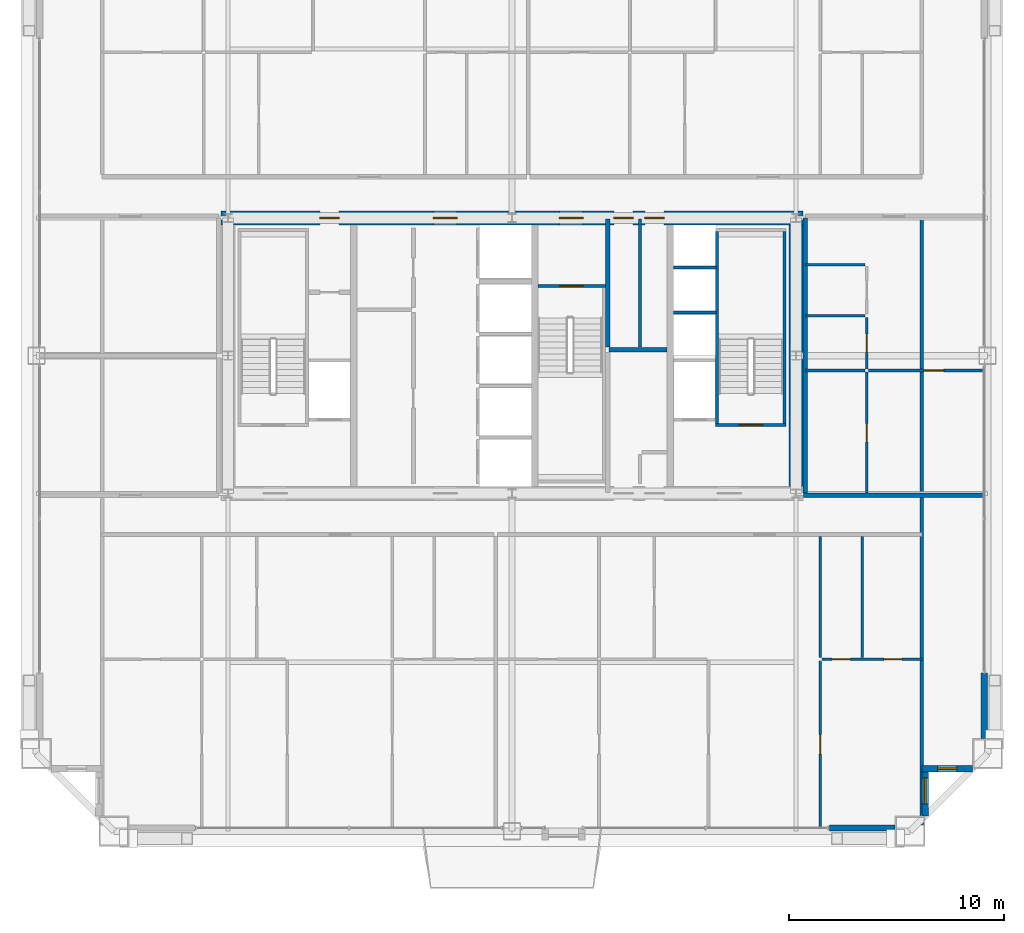
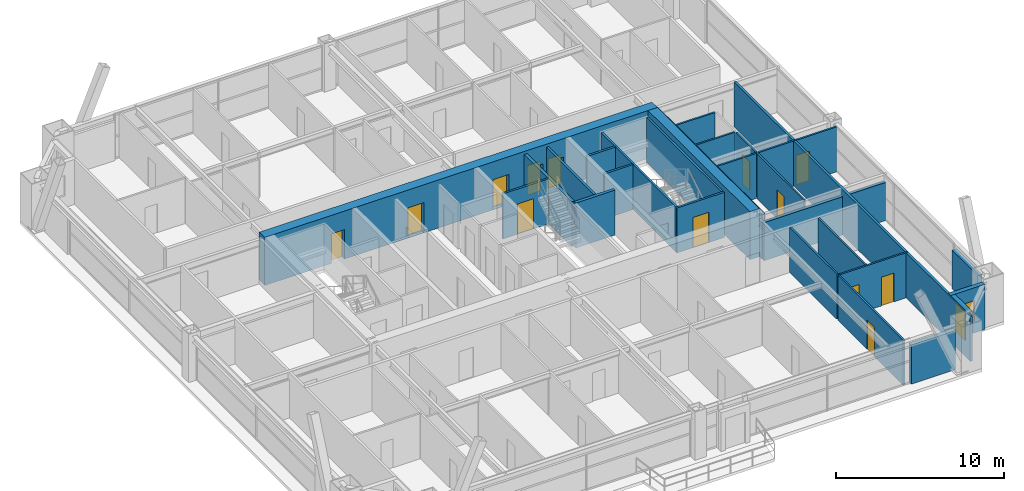
# One storey, part 42 of 45: 28 walls, 13 doors, 2 windows, 15 openings.
"""IFC4 building model written with IfcOpenShell, lengths in metres."""

from ifc_helpers import new_model, si_unit, direction, frame, frame_2d, origin, place, context, subcontext, project, spatial, rectangle, extrude, source, transform, mapped, material, layer, layer_set, type_object, element, fill, save


model = new_model("IFC4")

# Units and contexts
model_context = context("Model", 3, precision=1e-05, world=origin(), true_north=direction((0.0, 1.0)))
body_context = subcontext(model_context, "Body", "Model", "MODEL_VIEW")
ifc_project = project(units=[si_unit("LENGTHUNIT", "METRE"), si_unit("AREAUNIT", "SQUARE_METRE"), si_unit("VOLUMEUNIT", "CUBIC_METRE"), si_unit("PLANEANGLEUNIT", "RADIAN"), si_unit("MASSUNIT", "GRAM", prefix="KILO"), si_unit("THERMODYNAMICTEMPERATUREUNIT", "KELVIN"), si_unit("POWERUNIT", "WATT")], contexts=[model_context])

# Site, building, storey
site_placement = place(None, origin())
site = spatial("IfcSite", under=ifc_project, at=site_placement, CompositionType="ELEMENT")
building_placement = place(site_placement, origin())
building = spatial("IfcBuilding", under=site, at=building_placement, Name="Yuzanri Waterfront Tower", CompositionType="ELEMENT")
storey_placement = place(building_placement, frame((0.0, 0.0, 198.5)))
storey = spatial("IfcBuildingStorey", under=building, at=storey_placement, Name="L52", CompositionType="ELEMENT", Elevation=198.5)

# Wall, openings, doors
ifc_material_1 = material(Name="Moisture-Resistant Gypsum Stud Wall", Category="gypsum")
ifc_layer_1 = layer(ifc_material_1, 0.1201171875)
ifc_layer_set_1 = layer_set([ifc_layer_1], Name="Moisture-Resistant Gypsum Stud Wall")
wall_type_1 = type_object("IfcWallType", Name="Bathroom and Kitchen Wet Partition 120", PredefinedType="PARTITIONING", material=ifc_layer_set_1)
wall_1_placement = place(storey_placement, frame((51.4130859375, 11.699951171875, 0.0), z_axis=(0.0, 0.0, 1.0), x_axis=(1.0, 0.0, 0.0)))
wall_1 = element("IfcWall", 1, at=wall_1_placement, inside=storey, type_object=wall_type_1, Name="L52 Partition UW-L52-RS2-SUB-6-N", PredefinedType="PARTITIONING", context=body_context, shape_type="SweptSolid", body=[
    extrude(rectangle(XDim=4.64697265625, YDim=0.1201171875, at=frame_2d((2.323486328125, 0.0))), origin(), (0.0, 0.0, 1.0), 3.280029296875),
])
opening_1_placement = place(wall_1_placement, frame((2.8720703125, 0.0, 0.0)))
opening_1 = element("IfcOpeningElement", 2, at=opening_1_placement, cuts=wall_1, Name="Opening ID-0850", PredefinedType="OPENING", context=body_context, shape_type="SweptSolid", body=[
    extrude(rectangle(XDim=0.85009765625, YDim=2.10009765625, at=frame_2d((0.425048828125, 1.050048828125))), frame((0.0, 0.074951171875, 0.0), z_axis=(0.0, -1.0, 0.0), x_axis=(1.0, 0.0, 0.0)), (0.0, 0.0, 1.0), 0.14990234375),
])
opening_2_placement = place(wall_1_placement, frame((0.468505859375, 0.0, 0.0)))
opening_2 = element("IfcOpeningElement", 3, at=opening_2_placement, cuts=wall_1, Name="Opening ID-0850", PredefinedType="OPENING", context=body_context, shape_type="SweptSolid", body=[
    extrude(rectangle(XDim=0.85009765625, YDim=2.10009765625, at=frame_2d((0.425048828125, 1.050048828125))), frame((0.0, 0.074951171875, 0.0), z_axis=(0.0, -1.0, 0.0), x_axis=(1.0, 0.0, 0.0)), (0.0, 0.0, 1.0), 0.14990234375),
])
ifc_material_2 = material(Name="Moisture-Resistant Lacquered Timber", Category="wood")
door_type_1 = type_object("IfcDoorType", Name="En-Suite Bathroom and Kitchen Swing Door 850x2100", OperationType="NOTDEFINED", PredefinedType="DOOR", material=ifc_material_2)
shared_shape_1 = source(origin(), body_context, "Body", "SweptSolid", [
    extrude(rectangle(XDim=0.85009765625, YDim=2.10009765625, at=frame_2d((0.425048828125, 1.050048828125))), frame((0.0, 0.02490234375, 0.0), z_axis=(0.0, -1.0, 0.0), x_axis=(1.0, 0.0, 0.0)), (0.0, 0.0, 1.0), 0.050048828125),
])
door_1_placement = place(opening_1_placement, origin())
door_1 = element("IfcDoor", 4, at=door_1_placement, inside=storey, type_object=door_type_1, Name="L52 Suite Interior Room Door", OperationType="SINGLE_SWING_LEFT", OverallHeight=2.10009765625, OverallWidth=0.85009765625, PredefinedType="DOOR", context=body_context, shape_type="MappedRepresentation", body=[
    mapped(shared_shape_1, transform((0.0, 0.0, 0.0), scale=1.0)),
])
fill(opening_1, door_1)
door_2_placement = place(opening_2_placement, origin())
door_2 = element("IfcDoor", 5, at=door_2_placement, inside=storey, type_object=door_type_1, Name="L52 Suite Interior Room Door", OperationType="SINGLE_SWING_RIGHT", OverallHeight=2.10009765625, OverallWidth=0.85009765625, PredefinedType="DOOR", context=body_context, shape_type="MappedRepresentation", body=[
    mapped(shared_shape_1, transform((0.0, 0.0, 0.0), scale=1.0)),
])
fill(opening_2, door_2)

# Wall, opening, door
wall_2_placement = place(storey_placement, frame((51.3330078125, 3.85009765625, 0.0), z_axis=(0.0, 0.0, 1.0), x_axis=(0.0, 1.0, 0.0)))
wall_2 = element("IfcWall", 6, at=wall_2_placement, inside=storey, type_object=wall_type_1, Name="L52 Partition UW-L52-RS2-SUB-6-W", PredefinedType="PARTITIONING", context=body_context, shape_type="SweptSolid", body=[
    extrude(rectangle(XDim=7.77001953125, YDim=0.1201171875, at=frame_2d((3.885009765625, 0.0))), origin(), (0.0, 0.0, 1.0), 3.280029296875),
])
opening_3_placement = place(wall_2_placement, frame((3.43505859375, 0.0, 0.0)))
opening_3 = element("IfcOpeningElement", 7, at=opening_3_placement, cuts=wall_2, Name="Opening ID-0900", PredefinedType="OPENING", context=body_context, shape_type="SweptSolid", body=[
    extrude(rectangle(XDim=0.89990234375, YDim=2.14990234375, at=frame_2d((0.449951171875, 1.074951171875))), frame((0.0, 0.074951171875, 0.0), z_axis=(0.0, -1.0, 0.0), x_axis=(1.0, 0.0, 0.0)), (0.0, 0.0, 1.0), 0.14990234375),
])
ifc_material_3 = material(Name="Stained Walnut Veneer Timber", Category="wood")
door_type_2 = type_object("IfcDoorType", Name="Bedroom and Study Interior Swing Door 900x2150", OperationType="NOTDEFINED", PredefinedType="DOOR", material=ifc_material_3)
shared_shape_2 = source(origin(), body_context, "Body", "SweptSolid", [
    extrude(rectangle(XDim=0.89990234375, YDim=2.14990234375, at=frame_2d((0.449951171875, 1.074951171875))), frame((0.0, 0.02490234375, 0.0), z_axis=(0.0, -1.0, 0.0), x_axis=(1.0, 0.0, 0.0)), (0.0, 0.0, 1.0), 0.050048828125),
])
door_3_placement = place(opening_3_placement, origin())
door_3 = element("IfcDoor", 8, at=door_3_placement, inside=storey, type_object=door_type_2, Name="L52 Suite Interior Room Door", OperationType="SINGLE_SWING_RIGHT", OverallHeight=2.14990234375, OverallWidth=0.89990234375, PredefinedType="DOOR", context=body_context, shape_type="MappedRepresentation", body=[
    mapped(shared_shape_2, transform((0.0, 0.0, 0.0), scale=1.0)),
])
fill(opening_3, door_3)

wall_3_placement = place(storey_placement, frame((53.47998046875, 25.193115234375, 0.0), z_axis=(0.0, 0.0, 1.0), x_axis=(0.0, 1.0, 0.0)))
wall_3 = element("IfcWall", 9, at=wall_3_placement, inside=storey, type_object=wall_type_1, Name="L52 Partition UW-L52-RE1-SUB-1-E", PredefinedType="PARTITIONING", context=body_context, shape_type="SweptSolid", body=[
    extrude(rectangle(XDim=2.37890625, YDim=0.1201171875, at=frame_2d((1.189453125, 0.0))), origin(), (0.0, 0.0, 1.0), 3.280029296875),
])
opening_4_placement = place(wall_3_placement, frame((0.764404296875, 0.0, 0.0)))
opening_4 = element("IfcOpeningElement", 10, at=opening_4_placement, cuts=wall_3, Name="Opening ID-0850", PredefinedType="OPENING", context=body_context, shape_type="SweptSolid", body=[
    extrude(rectangle(XDim=0.85009765625, YDim=2.10009765625, at=frame_2d((0.425048828125, 1.050048828125))), frame((0.0, 0.074951171875, 0.0), z_axis=(0.0, -1.0, 0.0), x_axis=(1.0, 0.0, 0.0)), (0.0, 0.0, 1.0), 0.14990234375),
])
door_4_placement = place(opening_4_placement, origin())
door_4 = element("IfcDoor", 11, at=door_4_placement, inside=storey, type_object=door_type_1, Name="L52 Suite Interior Room Door", OperationType="SINGLE_SWING_LEFT", OverallHeight=2.10009765625, OverallWidth=0.85009765625, PredefinedType="DOOR", context=body_context, shape_type="MappedRepresentation", body=[
    mapped(shared_shape_1, transform((0.0, 0.0, 0.0), scale=1.0)),
])
fill(opening_4, door_4)

wall_4_placement = place(storey_placement, frame((53.56005859375, 25.113037109375, 0.0), z_axis=(0.0, 0.0, 1.0), x_axis=(1.0, 0.0, 0.0)))
wall_4 = element("IfcWall", 12, at=wall_4_placement, inside=storey, type_object=wall_type_1, Name="L52 Partition UW-L52-RE1-SUB-3-N", PredefinedType="PARTITIONING", context=body_context, shape_type="SweptSolid", body=[
    extrude(rectangle(XDim=5.389892578125, YDim=0.1201171875, at=frame_2d((2.69482421875, 0.0))), origin(), (0.0, 0.0, 1.0), 3.280029296875),
])
opening_5_placement = place(wall_4_placement, frame((2.593994140625, 0.0, 0.0)))
opening_5 = element("IfcOpeningElement", 13, at=opening_5_placement, cuts=wall_4, Name="Opening ID-0900", PredefinedType="OPENING", context=body_context, shape_type="SweptSolid", body=[
    extrude(rectangle(XDim=0.89990234375, YDim=2.14990234375, at=frame_2d((0.449951171875, 1.074951171875))), frame((0.0, 0.074951171875, 0.0), z_axis=(0.0, -1.0, 0.0), x_axis=(1.0, 0.0, 0.0)), (0.0, 0.0, 1.0), 0.14990234375),
])
door_5_placement = place(opening_5_placement, origin())
door_5 = element("IfcDoor", 14, at=door_5_placement, inside=storey, type_object=door_type_2, Name="L52 Suite Interior Room Door", OperationType="SINGLE_SWING_LEFT", OverallHeight=2.14990234375, OverallWidth=0.89990234375, PredefinedType="DOOR", context=body_context, shape_type="MappedRepresentation", body=[
    mapped(shared_shape_2, transform((0.0, 0.0, 0.0), scale=1.0)),
])
fill(opening_5, door_5)

wall_5_placement = place(storey_placement, frame((53.47998046875, 19.409912109375, 0.0), z_axis=(0.0, 0.0, 1.0), x_axis=(0.0, 1.0, 0.0)))
wall_5 = element("IfcWall", 15, at=wall_5_placement, inside=storey, type_object=wall_type_1, Name="L52 Partition UW-L52-RE1-SUB-3-W", PredefinedType="PARTITIONING", context=body_context, shape_type="SweptSolid", body=[
    extrude(rectangle(XDim=5.623046875, YDim=0.1201171875, at=frame_2d((2.8115234375, 0.0))), origin(), (0.0, 0.0, 1.0), 3.280029296875),
])
opening_6_placement = place(wall_5_placement, frame((2.386474609375, 0.0, 0.0)))
opening_6 = element("IfcOpeningElement", 16, at=opening_6_placement, cuts=wall_5, Name="Opening ID-0850", PredefinedType="OPENING", context=body_context, shape_type="SweptSolid", body=[
    extrude(rectangle(XDim=0.85009765625, YDim=2.10009765625, at=frame_2d((0.425048828125, 1.050048828125))), frame((0.0, 0.074951171875, 0.0), z_axis=(0.0, -1.0, 0.0), x_axis=(1.0, 0.0, 0.0)), (0.0, 0.0, 1.0), 0.14990234375),
])
door_6_placement = place(opening_6_placement, origin())
door_6 = element("IfcDoor", 17, at=door_6_placement, inside=storey, type_object=door_type_1, Name="L52 Suite Interior Room Door", OperationType="SINGLE_SWING_RIGHT", OverallHeight=2.10009765625, OverallWidth=0.85009765625, PredefinedType="DOOR", context=body_context, shape_type="MappedRepresentation", body=[
    mapped(shared_shape_1, transform((0.0, 0.0, 0.0), scale=1.0)),
])
fill(opening_6, door_6)

# Wall, opening, window
ifc_material_4 = material(Name="Honed Chongqing Dark Basalt Stone", Category="masonry")
ifc_layer_2 = layer(ifc_material_4, 0.300048828125)
ifc_layer_set_2 = layer_set([ifc_layer_2], Name="Honed Chongqing Dark Basalt Stone")
wall_type_2 = type_object("IfcWallType", Name="Bronze Rainscreen Insulated Spandrel Portal Wall 300", PredefinedType="SOLIDWALL", material=ifc_layer_set_2)
wall_6_placement = place(storey_placement, frame((56.050048828125, 6.60009765625, 0.0), z_axis=(0.0, 0.0, 1.0), x_axis=(1.0, 0.0, 0.0)))
wall_6 = element("IfcWall", 18, at=wall_6_placement, inside=storey, type_object=wall_type_2, Name="L52 Notched Corner Masonry Wall SE-X", PredefinedType="SOLIDWALL", context=body_context, shape_type="SweptSolid", body=[
    extrude(rectangle(XDim=2.349853515625, YDim=0.300048828125, at=frame_2d((1.1748046875, 0.0))), origin(), (0.0, 0.0, 1.0), 3.280029296875),
])
opening_7_placement = place(wall_6_placement, frame((0.72509765625, 0.0, 0.85009765625)))
opening_7 = element("IfcOpeningElement", 19, at=opening_7_placement, cuts=wall_6, Name="Opening WN-05", PredefinedType="OPENING", context=body_context, shape_type="SweptSolid", body=[
    extrude(rectangle(XDim=0.89990234375, YDim=1.5, at=frame_2d((0.449951171875, 0.75))), frame((0.0, 0.1650390625, 0.0), z_axis=(0.0, -1.0, 0.0), x_axis=(1.0, 0.0, 0.0)), (0.0, 0.0, 1.0), 0.329833984375),
])
ifc_material_5 = material(Name="Double-Silver Low-E Insulated Glass", Category="glass")
window_type_1 = type_object("IfcWindowType", Name="Anodized Bronze Service and Stairwell Smoke-Vent Window 900x1500", PartitioningType="SINGLE_PANEL", PredefinedType="WINDOW", material=ifc_material_5)
shared_shape_3 = source(origin(), body_context, "Body", "SweptSolid", [
    extrude(rectangle(XDim=0.89990234375, YDim=1.5, at=frame_2d((0.449951171875, 0.75))), frame((0.0, 0.030029296875, 0.0), z_axis=(0.0, -1.0, 0.0), x_axis=(1.0, 0.0, 0.0)), (0.0, 0.0, 1.0), 0.06005859375),
])
window_1_placement = place(opening_7_placement, origin())
window_1 = element("IfcWindow", 20, at=window_1_placement, inside=storey, type_object=window_type_1, Name="L52 Notched Corner Window SE-X", OverallHeight=1.5, OverallWidth=0.89990234375, PartitioningType="SINGLE_PANEL", PredefinedType="WINDOW", context=body_context, shape_type="MappedRepresentation", body=[
    mapped(shared_shape_3, transform((0.0, 0.0, 0.0), scale=1.0)),
])
fill(opening_7, window_1)

wall_7_placement = place(storey_placement, frame((56.199951171875, 4.39990234375, 0.0), z_axis=(0.0, 0.0, 1.0), x_axis=(0.0, 1.0, 0.0)))
wall_7 = element("IfcWall", 21, at=wall_7_placement, inside=storey, type_object=wall_type_2, Name="L52 Notched Corner Masonry Wall SE-Y", PredefinedType="SOLIDWALL", context=body_context, shape_type="SweptSolid", body=[
    extrude(rectangle(XDim=2.35009765625, YDim=0.300048828125, at=frame_2d((1.175048828125, 0.0))), origin(), (0.0, 0.0, 1.0), 3.280029296875),
])
opening_8_placement = place(wall_7_placement, frame((0.574951171875, 0.0, 0.85009765625)))
opening_8 = element("IfcOpeningElement", 22, at=opening_8_placement, cuts=wall_7, Name="Opening WN-02", PredefinedType="OPENING", context=body_context, shape_type="SweptSolid", body=[
    extrude(rectangle(XDim=1.199951171875, YDim=2.10009765625, at=frame_2d((0.60009765625, 1.050048828125))), frame((0.0, 0.1650390625, 0.0), z_axis=(0.0, -1.0, 0.0), x_axis=(1.0, 0.0, 0.0)), (0.0, 0.0, 1.0), 0.329833984375),
])
ifc_material_6 = material(Name="Double-Silver Low-E Insulated Glass", Category="glass")
window_type_2 = type_object("IfcWindowType", Name="Anodized Bronze Notched Corner Deep-Set Slot Window 1200x2100", PartitioningType="SINGLE_PANEL", PredefinedType="WINDOW", material=ifc_material_6)
shared_shape_4 = source(origin(), body_context, "Body", "SweptSolid", [
    extrude(rectangle(XDim=1.199951171875, YDim=2.10009765625, at=frame_2d((0.60009765625, 1.050048828125))), frame((0.0, 0.030029296875, 0.0), z_axis=(0.0, -1.0, 0.0), x_axis=(1.0, 0.0, 0.0)), (0.0, 0.0, 1.0), 0.06005859375),
])
window_2_placement = place(opening_8_placement, origin())
window_2 = element("IfcWindow", 23, at=window_2_placement, inside=storey, type_object=window_type_2, Name="L52 Notched Corner Window SE-Y", OverallHeight=2.10009765625, OverallWidth=1.199951171875, PartitioningType="SINGLE_PANEL", PredefinedType="WINDOW", context=body_context, shape_type="MappedRepresentation", body=[
    mapped(shared_shape_4, transform((0.0, 0.0, 0.0), scale=1.0)),
])
fill(opening_8, window_2)

# Wall, openings, doors
ifc_material_7 = material(Name="Concrete C50", Category="concrete")
ifc_layer_3 = layer(ifc_material_7, 0.64990234375)
ifc_layer_set_3 = layer_set([ifc_layer_3], Name="Concrete C50")
wall_type_3 = type_object("IfcWallType", Name="Concrete C50 Mid Zone Core Shear Wall 650", PredefinedType="SHEAR", material=ifc_layer_set_3)
wall_8_placement = place(storey_placement, frame((23.47509765625, 32.199951171875, 0.0), z_axis=(0.0, 0.0, 1.0), x_axis=(1.0, 0.0, 0.0)))
wall_8 = element("IfcWall", 24, at=wall_8_placement, inside=storey, type_object=wall_type_3, Name="L52 Core North Shear Wall", PredefinedType="SHEAR", context=body_context, shape_type="SweptSolid", body=[
    extrude(rectangle(XDim=27.0498046875, YDim=0.64990234375, at=frame_2d((13.52490234375, 0.0))), origin(), (0.0, 0.0, 1.0), 3.5),
])
opening_9_placement = place(wall_8_placement, frame((4.594970703125, 0.0, 0.0)))
opening_9 = element("IfcOpeningElement", 25, at=opening_9_placement, cuts=wall_8, Name="Opening FD-0900", PredefinedType="OPENING", context=body_context, shape_type="SweptSolid", body=[
    extrude(rectangle(XDim=0.89990234375, YDim=2.14990234375, at=frame_2d((0.449951171875, 1.074951171875))), frame((0.0, 0.33984375, 0.0), z_axis=(0.0, -1.0, 0.0), x_axis=(1.0, 0.0, 0.0)), (0.0, 0.0, 1.0), 0.6796875),
])
opening_10_placement = place(wall_8_placement, frame((9.875, 0.0, 0.0)))
opening_10 = element("IfcOpeningElement", 26, at=opening_10_placement, cuts=wall_8, Name="Opening FD-1100", PredefinedType="OPENING", context=body_context, shape_type="SweptSolid", body=[
    extrude(rectangle(XDim=1.10009765625, YDim=2.199951171875, at=frame_2d((0.550048828125, 1.10009765625))), frame((0.0, 0.33984375, 0.0), z_axis=(0.0, -1.0, 0.0), x_axis=(1.0, 0.0, 0.0)), (0.0, 0.0, 1.0), 0.6796875),
])
opening_11_placement = place(wall_8_placement, frame((15.72509765625, 0.0, 0.0)))
opening_11 = element("IfcOpeningElement", 27, at=opening_11_placement, cuts=wall_8, Name="Opening FD-1100", PredefinedType="OPENING", context=body_context, shape_type="SweptSolid", body=[
    extrude(rectangle(XDim=1.10009765625, YDim=2.199951171875, at=frame_2d((0.550048828125, 1.10009765625))), frame((0.0, 0.33984375, 0.0), z_axis=(0.0, -1.0, 0.0), x_axis=(1.0, 0.0, 0.0)), (0.0, 0.0, 1.0), 0.6796875),
])
opening_12_placement = place(wall_8_placement, frame((18.2548828125, 0.0, 0.0)))
opening_12 = element("IfcOpeningElement", 28, at=opening_12_placement, cuts=wall_8, Name="Opening FD-0900", PredefinedType="OPENING", context=body_context, shape_type="SweptSolid", body=[
    extrude(rectangle(XDim=0.89990234375, YDim=2.14990234375, at=frame_2d((0.449951171875, 1.074951171875))), frame((0.0, 0.33984375, 0.0), z_axis=(0.0, -1.0, 0.0), x_axis=(1.0, 0.0, 0.0)), (0.0, 0.0, 1.0), 0.6796875),
])
opening_13_placement = place(wall_8_placement, frame((19.695068359375, 0.0, 0.0)))
opening_13 = element("IfcOpeningElement", 29, at=opening_13_placement, cuts=wall_8, Name="Opening FD-0900", PredefinedType="OPENING", context=body_context, shape_type="SweptSolid", body=[
    extrude(rectangle(XDim=0.89990234375, YDim=2.14990234375, at=frame_2d((0.449951171875, 1.074951171875))), frame((0.0, 0.33984375, 0.0), z_axis=(0.0, -1.0, 0.0), x_axis=(1.0, 0.0, 0.0)), (0.0, 0.0, 1.0), 0.6796875),
])
ifc_material_8 = material(Name="Painted Galvanized Fire Steel", Category="steel")
door_type_3 = type_object("IfcDoorType", Name="Smoke-Proof Stair and Lobby Fire Door 1100x2200", OperationType="NOTDEFINED", PredefinedType="DOOR", material=ifc_material_8)
shared_shape_5 = source(origin(), body_context, "Body", "SweptSolid", [
    extrude(rectangle(XDim=1.10009765625, YDim=2.199951171875, at=frame_2d((0.550048828125, 1.10009765625))), frame((0.0, 0.02490234375, 0.0), z_axis=(0.0, -1.0, 0.0), x_axis=(1.0, 0.0, 0.0)), (0.0, 0.0, 1.0), 0.050048828125),
])
door_7_placement = place(opening_10_placement, origin())
door_7 = element("IfcDoor", 30, at=door_7_placement, inside=storey, type_object=door_type_3, Name="L52 Central Lift Lobby North Door", OperationType="SINGLE_SWING_LEFT", OverallHeight=2.199951171875, OverallWidth=1.10009765625, PredefinedType="DOOR", context=body_context, shape_type="MappedRepresentation", body=[
    mapped(shared_shape_5, transform((0.0, 0.0, 0.0), scale=1.0)),
])
fill(opening_10, door_7)
door_8_placement = place(opening_11_placement, origin())
door_8 = element("IfcDoor", 31, at=door_8_placement, inside=storey, type_object=door_type_3, Name="L52 North Stair Lobby Door", OperationType="SINGLE_SWING_RIGHT", OverallHeight=2.199951171875, OverallWidth=1.10009765625, PredefinedType="DOOR", context=body_context, shape_type="MappedRepresentation", body=[
    mapped(shared_shape_5, transform((0.0, 0.0, 0.0), scale=1.0)),
])
fill(opening_11, door_8)
ifc_material_9 = material(Name="Painted Galvanized Fire Steel", Category="steel")
door_type_4 = type_object("IfcDoorType", Name="Riser and Service Room Fire Door 900x2150", OperationType="NOTDEFINED", PredefinedType="DOOR", material=ifc_material_9)
shared_shape_6 = source(origin(), body_context, "Body", "SweptSolid", [
    extrude(rectangle(XDim=0.89990234375, YDim=2.14990234375, at=frame_2d((0.449951171875, 1.074951171875))), frame((0.0, 0.02490234375, 0.0), z_axis=(0.0, -1.0, 0.0), x_axis=(1.0, 0.0, 0.0)), (0.0, 0.0, 1.0), 0.050048828125),
])
door_9_placement = place(opening_9_placement, origin())
door_9 = element("IfcDoor", 32, at=door_9_placement, inside=storey, type_object=door_type_4, Name="L52 Telecom Riser Door", OperationType="SINGLE_SWING_RIGHT", OverallHeight=2.14990234375, OverallWidth=0.89990234375, PredefinedType="DOOR", context=body_context, shape_type="MappedRepresentation", body=[
    mapped(shared_shape_6, transform((0.0, 0.0, 0.0), scale=1.0)),
])
fill(opening_9, door_9)
door_10_placement = place(opening_12_placement, origin())
door_10 = element("IfcDoor", 33, at=door_10_placement, inside=storey, type_object=door_type_4, Name="L52 Common Store Room", OperationType="SINGLE_SWING_RIGHT", OverallHeight=2.14990234375, OverallWidth=0.89990234375, PredefinedType="DOOR", context=body_context, shape_type="MappedRepresentation", body=[
    mapped(shared_shape_6, transform((0.0, 0.0, 0.0), scale=1.0)),
])
fill(opening_12, door_10)
door_11_placement = place(opening_13_placement, origin())
door_11 = element("IfcDoor", 34, at=door_11_placement, inside=storey, type_object=door_type_4, Name="L52 Linen Store Room", OperationType="SINGLE_SWING_LEFT", OverallHeight=2.14990234375, OverallWidth=0.89990234375, PredefinedType="DOOR", context=body_context, shape_type="MappedRepresentation", body=[
    mapped(shared_shape_6, transform((0.0, 0.0, 0.0), scale=1.0)),
])
fill(opening_13, door_11)

# Wall, opening, door
ifc_material_10 = material(Name="Concrete C40", Category="concrete")
ifc_layer_4 = layer(ifc_material_10, 0.139892578125)
ifc_layer_set_4 = layer_set([ifc_layer_4], Name="Concrete C40")
wall_type_4 = type_object("IfcWallType", Name="Core Stair Liner and Hoistway Shaft Wall 140", PredefinedType="SOLIDWALL", material=ifc_layer_set_4)
wall_9_placement = place(storey_placement, frame((46.4599609375, 22.570068359375, 0.0), z_axis=(0.0, 0.0, 1.0), x_axis=(1.0, 0.0, 0.0)))
wall_9 = element("IfcWall", 35, at=wall_9_placement, inside=storey, type_object=wall_type_4, Name="L52 Shaft Wall STW-L52-ST-02-S", PredefinedType="SOLIDWALL", context=body_context, shape_type="SweptSolid", body=[
    extrude(rectangle(XDim=3.280029296875, YDim=0.139892578125, at=frame_2d((1.64013671875, 0.0))), origin(), (0.0, 0.0, 1.0), 3.280029296875),
])
opening_14_placement = place(wall_9_placement, frame((1.090087890625, 0.0, 0.0)))
opening_14 = element("IfcOpeningElement", 36, at=opening_14_placement, cuts=wall_9, Name="Opening FD-1100", PredefinedType="OPENING", context=body_context, shape_type="SweptSolid", body=[
    extrude(rectangle(XDim=1.10009765625, YDim=2.199951171875, at=frame_2d((0.550048828125, 1.10009765625))), frame((0.0, 0.0849609375, 0.0), z_axis=(0.0, -1.0, 0.0), x_axis=(1.0, 0.0, 0.0)), (0.0, 0.0, 1.0), 0.169677734375),
])
door_12_placement = place(opening_14_placement, origin())
door_12 = element("IfcDoor", 37, at=door_12_placement, inside=storey, type_object=door_type_3, Name="L52 Stair ST-02 Fire Door", OperationType="SINGLE_SWING_LEFT", OverallHeight=2.199951171875, OverallWidth=1.10009765625, PredefinedType="DOOR", context=body_context, shape_type="MappedRepresentation", body=[
    mapped(shared_shape_5, transform((0.0, 0.0, 0.0), scale=1.0)),
])
fill(opening_14, door_12)

wall_10_placement = place(storey_placement, frame((38.199951171875, 29.030029296875, 0.0), z_axis=(0.0, 0.0, 1.0), x_axis=(1.0, 0.0, 0.0)))
wall_10 = element("IfcWall", 38, at=wall_10_placement, inside=storey, type_object=wall_type_4, Name="L52 Shaft Wall STW-L52-ST-03-N", PredefinedType="SOLIDWALL", context=body_context, shape_type="SweptSolid", body=[
    extrude(rectangle(XDim=3.14013671875, YDim=0.139892578125, at=frame_2d((1.570068359375, 0.0))), origin(), (0.0, 0.0, 1.0), 3.280029296875),
])
opening_15_placement = place(wall_10_placement, frame((1.02001953125, 0.0, 0.0)))
opening_15 = element("IfcOpeningElement", 39, at=opening_15_placement, cuts=wall_10, Name="Opening FD-1100", PredefinedType="OPENING", context=body_context, shape_type="SweptSolid", body=[
    extrude(rectangle(XDim=1.10009765625, YDim=2.199951171875, at=frame_2d((0.550048828125, 1.10009765625))), frame((0.0, 0.0849609375, 0.0), z_axis=(0.0, -1.0, 0.0), x_axis=(1.0, 0.0, 0.0)), (0.0, 0.0, 1.0), 0.169677734375),
])
door_13_placement = place(opening_15_placement, origin())
door_13 = element("IfcDoor", 40, at=door_13_placement, inside=storey, type_object=door_type_3, Name="L52 Stair ST-03 Fire Door", OperationType="SINGLE_SWING_RIGHT", OverallHeight=2.199951171875, OverallWidth=1.10009765625, PredefinedType="DOOR", context=body_context, shape_type="MappedRepresentation", body=[
    mapped(shared_shape_5, transform((0.0, 0.0, 0.0), scale=1.0)),
])
fill(opening_15, door_13)

# Walls
shared_shape_7 = source(origin(), body_context, "Body", "SweptSolid", [
    extrude(rectangle(XDim=12.14990234375, YDim=0.64990234375, at=frame_2d((6.074951171875, 0.0))), origin(), (0.0, 0.0, 1.0), 3.5),
])
wall_11_placement = place(storey_placement, frame((50.199951171875, 19.72509765625, 0.0), z_axis=(0.0, 0.0, 1.0), x_axis=(0.0, 1.0, 0.0)))
element("IfcWall", 41, at=wall_11_placement, inside=storey, type_object=wall_type_3, Name="L52 Core East Shear Wall", PredefinedType="SHEAR", context=body_context, shape_type="MappedRepresentation", body=[
    mapped(shared_shape_7, transform((0.0, 0.0, 0.0), scale=1.0)),
])
shared_shape_8 = source(origin(), body_context, "Body", "SweptSolid", [
    extrude(rectangle(XDim=3.050048828125, YDim=0.300048828125, at=frame_2d((1.52490234375, 0.0))), origin(), (0.0, 0.0, 1.0), 2.8349609375),
])
for number, where, z_axis, x_axis, name in (
    (42, (51.75, 3.85009765625, 0.0), (0.0, 0.0, 1.0), (1.0, 0.0, 0.0), "L52 S Right Braced Masonry Shoulder"),
    (43, (58.949951171875, 8.0, 0.0), (0.0, 0.0, 1.0), (0.0, 1.0, 0.0), "L52 E Left Braced Masonry Shoulder"),
):
    element("IfcWall", number, at=place(storey_placement, frame(where, z_axis=z_axis, x_axis=x_axis)), inside=storey, type_object=wall_type_2, Name=name, PredefinedType="SOLIDWALL", context=body_context, shape_type="MappedRepresentation", body=[
        mapped(shared_shape_8, transform((0.0, 0.0, 0.0), scale=1.0)),
    ])
shared_shape_9 = source(origin(), body_context, "Body", "SweptSolid", [
    extrude(rectangle(XDim=2.0, YDim=0.139892578125, at=frame_2d((1.0, 0.0))), origin(), (0.0, 0.0, 1.0), 3.280029296875),
])
for number, where, z_axis, x_axis, name in (
    (44, (44.5, 27.800048828125, 0.0), (0.0, 0.0, 1.0), (1.0, 0.0, 0.0), "L52 Lift PL-09 Divider Wall"),
    (45, (44.5, 29.89990234375, 0.0), (0.0, 0.0, 1.0), (1.0, 0.0, 0.0), "L52 Lift PL-10 Divider Wall"),
):
    element("IfcWall", number, at=place(storey_placement, frame(where, z_axis=z_axis, x_axis=x_axis)), inside=storey, type_object=wall_type_4, Name=name, PredefinedType="SOLIDWALL", context=body_context, shape_type="MappedRepresentation", body=[
        mapped(shared_shape_9, transform((0.0, 0.0, 0.0), scale=1.0)),
    ])
shared_shape_10 = source(origin(), body_context, "Body", "SweptSolid", [
    extrude(rectangle(XDim=8.940185546875, YDim=0.139892578125, at=frame_2d((4.47021484375, 0.0))), origin(), (0.0, 0.0, 1.0), 3.280029296875),
])
for number, where, z_axis, x_axis, name in (
    (46, (46.530029296875, 22.639892578125, 0.0), (0.0, 0.0, 1.0), (0.0, 1.0, 0.0), "L52 Stair ST-02 West Shaft Wall"),
    (47, (49.669921875, 22.639892578125, 0.0), (0.0, 0.0, 1.0), (0.0, 1.0, 0.0), "L52 Stair ST-02 East Shaft Wall"),
):
    element("IfcWall", number, at=place(storey_placement, frame(where, z_axis=z_axis, x_axis=x_axis)), inside=storey, type_object=wall_type_4, Name=name, PredefinedType="SOLIDWALL", context=body_context, shape_type="MappedRepresentation", body=[
        mapped(shared_shape_10, transform((0.0, 0.0, 0.0), scale=1.0)),
    ])
ifc_material_11 = material(Name="Autoclaved Aerated Concrete Blockwork", Category="masonry")
ifc_layer_5 = layer(ifc_material_11, 0.199951171875)
ifc_layer_set_5 = layer_set([ifc_layer_5], Name="Autoclaved Aerated Concrete Blockwork")
wall_type_5 = type_object("IfcWallType", Name="Corridor and Unit Party Fire Wall 200", PredefinedType="PARTITIONING", material=ifc_layer_set_5)
shared_shape_11 = source(origin(), body_context, "Body", "SweptSolid", [
    extrude(rectangle(XDim=8.39990234375, YDim=0.199951171875, at=frame_2d((4.199951171875, 0.0))), origin(), (0.0, 0.0, 1.0), 2.77490234375),
])
wall_12_placement = place(storey_placement, frame((50.550048828125, 19.31005859375, 0.0), z_axis=(0.0, 0.0, 1.0), x_axis=(1.0, 0.0, 0.0)))
element("IfcWall", 48, at=wall_12_placement, inside=storey, type_object=wall_type_5, Name="L52-RE1 Wing South Wall", PredefinedType="PARTITIONING", context=body_context, shape_type="MappedRepresentation", body=[
    mapped(shared_shape_11, transform((0.0, 0.0, 0.0), scale=1.0)),
])
shared_shape_12 = source(origin(), body_context, "Body", "SweptSolid", [
    extrude(rectangle(XDim=12.780029296875, YDim=0.199951171875, at=frame_2d((6.39013671875, 0.0))), origin(), (0.0, 0.0, 1.0), 3.280029296875),
])
wall_13_placement = place(storey_placement, frame((50.6298828125, 19.409912109375, 0.0), z_axis=(0.0, 0.0, 1.0), x_axis=(0.0, 1.0, 0.0)))
element("IfcWall", 49, at=wall_13_placement, inside=storey, type_object=wall_type_5, Name="L52-RE1 Wing Inner Core-Side Wall", PredefinedType="PARTITIONING", context=body_context, shape_type="MappedRepresentation", body=[
    mapped(shared_shape_12, transform((0.0, 0.0, 0.0), scale=1.0)),
])
shared_shape_13 = source(origin(), body_context, "Body", "SweptSolid", [
    extrude(rectangle(XDim=2.75, YDim=0.1201171875, at=frame_2d((1.375, 0.0))), origin(), (0.0, 0.0, 1.0), 3.280029296875),
])
for number, where, z_axis, x_axis, name in (
    (50, (50.64990234375, 25.113037109375, 0.0), (0.0, 0.0, 1.0), (1.0, 0.0, 0.0), "L52 Partition UW-L52-RE1-SUB-1-S"),
    (51, (50.64990234375, 27.652099609375, 0.0), (0.0, 0.0, 1.0), (1.0, 0.0, 0.0), "L52 Partition UW-L52-RE1-SUB-1-N"),
    (52, (50.64990234375, 30.031005859375, 0.0), (0.0, 0.0, 1.0), (1.0, 0.0, 0.0), "L52 Partition UW-L52-RE1-SUB-2-N"),
):
    element("IfcWall", number, at=place(storey_placement, frame(where, z_axis=z_axis, x_axis=x_axis)), inside=storey, type_object=wall_type_1, Name=name, PredefinedType="PARTITIONING", context=body_context, shape_type="MappedRepresentation", body=[
        mapped(shared_shape_13, transform((0.0, 0.0, 0.0), scale=1.0)),
    ])
shared_shape_14 = source(origin(), body_context, "Body", "SweptSolid", [
    extrude(rectangle(XDim=2.699951171875, YDim=0.199951171875, at=frame_2d((1.35009765625, 0.0))), origin(), (0.0, 0.0, 1.0), 3.280029296875),
])
wall_14_placement = place(storey_placement, frame((41.5, 26.070068359375, 0.0), z_axis=(0.0, 0.0, 1.0), x_axis=(1.0, 0.0, 0.0)))
element("IfcWall", 53, at=wall_14_placement, inside=storey, type_object=wall_type_5, Name="L52 Core BOH Split Wall 1", PredefinedType="PARTITIONING", context=body_context, shape_type="MappedRepresentation", body=[
    mapped(shared_shape_14, transform((0.0, 0.0, 0.0), scale=1.0)),
])
shared_shape_15 = source(origin(), body_context, "Body", "SweptSolid", [
    extrude(rectangle(XDim=5.9599609375, YDim=0.199951171875, at=frame_2d((2.97998046875, 0.0))), origin(), (0.0, 0.0, 1.0), 3.280029296875),
])
wall_15_placement = place(storey_placement, frame((41.449951171875, 26.199951171875, 0.0), z_axis=(0.0, 0.0, 1.0), x_axis=(0.0, 1.0, 0.0)))
element("IfcWall", 54, at=wall_15_placement, inside=storey, type_object=wall_type_5, Name="L52 Core BOH West Wall 2", PredefinedType="PARTITIONING", context=body_context, shape_type="MappedRepresentation", body=[
    mapped(shared_shape_15, transform((0.0, 0.0, 0.0), scale=1.0)),
])
ifc_material_12 = material(Name="Gypsum Fireboard Acoustic Stud Wall", Category="gypsum")
ifc_layer_6 = layer(ifc_material_12, 0.159912109375)
ifc_layer_set_6 = layer_set([ifc_layer_6], Name="Gypsum Fireboard Acoustic Stud Wall")
wall_type_6 = type_object("IfcWallType", Name="Acoustic Suite Demising Partition 160", PredefinedType="PARTITIONING", material=ifc_layer_set_6)
shared_shape_16 = source(origin(), body_context, "Body", "SweptSolid", [
    extrude(rectangle(XDim=5.9599609375, YDim=0.159912109375, at=frame_2d((2.97998046875, 0.0))), origin(), (0.0, 0.0, 1.0), 3.280029296875),
])
wall_16_placement = place(storey_placement, frame((42.949951171875, 26.199951171875, 0.0), z_axis=(0.0, 0.0, 1.0), x_axis=(0.0, 1.0, 0.0)))
element("IfcWall", 55, at=wall_16_placement, inside=storey, type_object=wall_type_6, Name="L52 Core BOH Mid Wall 3", PredefinedType="PARTITIONING", context=body_context, shape_type="MappedRepresentation", body=[
    mapped(shared_shape_16, transform((0.0, 0.0, 0.0), scale=1.0)),
])
shared_shape_17 = source(origin(), body_context, "Body", "SweptSolid", [
    extrude(rectangle(XDim=5.60986328125, YDim=0.1201171875, at=frame_2d((2.804931640625, 0.0))), origin(), (0.0, 0.0, 1.0), 3.280029296875),
])
for number, where, z_axis, x_axis, name in (
    (56, (53.280029296875, 11.780029296875, 0.0), (0.0, 0.0, 1.0), (0.0, 1.0, 0.0), "L52 Partition UW-L52-RS2-SUB-3-W"),
    (57, (51.3330078125, 11.780029296875, 0.0), (0.0, 0.0, 1.0), (0.0, 1.0, 0.0), "L52 Partition UW-L52-RS2-SUB-4-W"),
):
    element("IfcWall", number, at=place(storey_placement, frame(where, z_axis=z_axis, x_axis=x_axis)), inside=storey, type_object=wall_type_1, Name=name, PredefinedType="PARTITIONING", context=body_context, shape_type="MappedRepresentation", body=[
        mapped(shared_shape_17, transform((0.0, 0.0, 0.0), scale=1.0)),
    ])
shared_shape_18 = source(origin(), body_context, "Body", "SweptSolid", [
    extrude(rectangle(XDim=28.18994140625, YDim=0.159912109375, at=frame_2d((14.094970703125, 0.0))), origin(), (0.0, 0.0, 1.0), 3.280029296875),
])
wall_17_placement = place(storey_placement, frame((56.050048828125, 4.0, 0.0), z_axis=(0.0, 0.0, 1.0), x_axis=(0.0, 1.0, 0.0)))
element("IfcWall", 58, at=wall_17_placement, inside=storey, type_object=wall_type_6, Name="L52 South Band East End Wall", PredefinedType="PARTITIONING", context=body_context, shape_type="MappedRepresentation", body=[
    mapped(shared_shape_18, transform((0.0, 0.0, 0.0), scale=1.0)),
])

save(model, "model.ifc")
